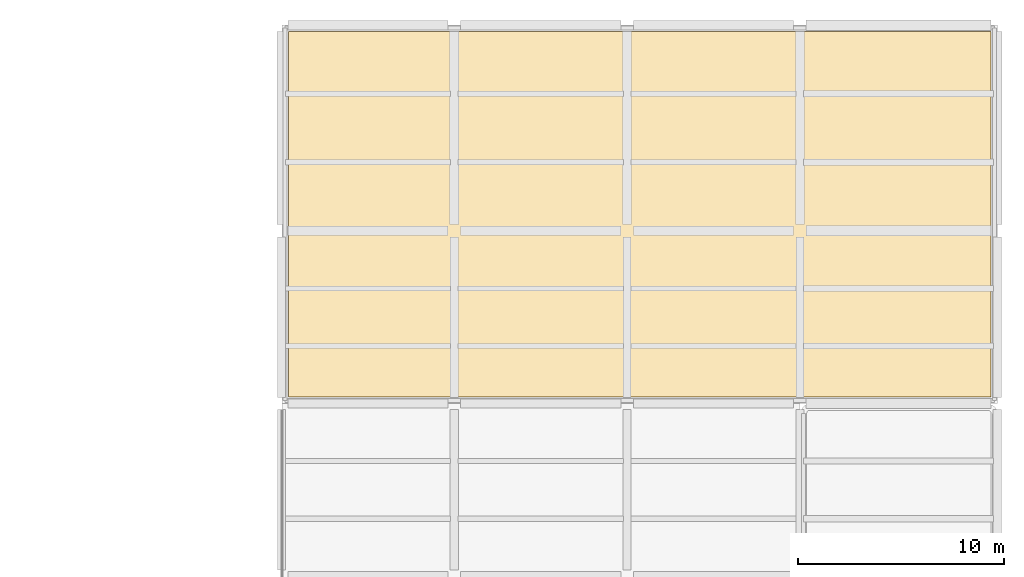
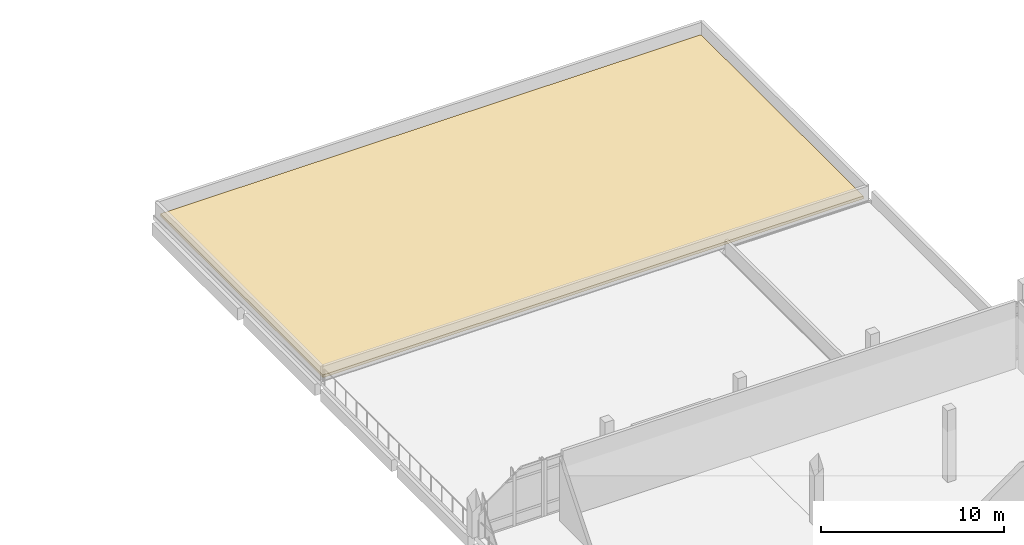
# One storey, part 63 of 63: 1 covering.
"""IFC4 building model written with IfcOpenShell, lengths in metres."""

from ifc_helpers import new_model, si_unit, derived_unit, direction, frame, origin, place, context, subcontext, project, spatial, polyline, outline, extrude, material, layer, layer_set, type_object, element, save


model = new_model("IFC4")

# Units and contexts
model_context = context("Model", 3, precision=1e-05, world=origin(), true_north=direction((0.0, 1.0)))
body_context = subcontext(model_context, "Body", "Model", "MODEL_VIEW")
ifc_project = project(units=[si_unit("LENGTHUNIT", "METRE"), si_unit("AREAUNIT", "SQUARE_METRE"), si_unit("VOLUMEUNIT", "CUBIC_METRE"), si_unit("PLANEANGLEUNIT", "RADIAN"), si_unit("MASSUNIT", "GRAM", prefix="KILO"), derived_unit("THERMALTRANSMITTANCEUNIT", [(si_unit("POWERUNIT", "WATT"), 1), (si_unit("LENGTHUNIT", "METRE"), -2), (si_unit("THERMODYNAMICTEMPERATUREUNIT", "KELVIN"), -1)])], contexts=[model_context])

# Site, building, storey
site_placement = place(None, origin())
site = spatial("IfcSite", under=ifc_project, at=site_placement, CompositionType="ELEMENT")
building_placement = place(site_placement, origin())
building = spatial("IfcBuilding", under=site, at=building_placement, Name="Elbkamm Science Centre", CompositionType="ELEMENT")
storey_placement = place(building_placement, frame((0.0, 0.0, 5.10009765625)))
storey = spatial("IfcBuildingStorey", under=building, at=storey_placement, Name="L01", CompositionType="ELEMENT", Elevation=5.10009765625)

# Covering
ifc_material = material(Name="EPDM waterproof roofing membrane and mineral wool insulation")
ifc_layer = layer(ifc_material, 0.179931640625)
ifc_layer_set = layer_set([ifc_layer], Name="EPDM waterproof roofing membrane and mineral wool insulation")
covering_type = type_object("IfcCoveringType", Name="COV-ROOFING-180", PredefinedType="ROOFING", material=ifc_layer_set)
covering_placement = place(storey_placement, origin())
element("IfcCovering", 1, at=covering_placement, inside=storey, type_object=covering_type, Name="L01 Insulated Roof Membrane Covering 02", PredefinedType="ROOFING", context=body_context, shape_type="SweptSolid", body=[
    extrude(outline(polyline([(160.5, 110.5), (160.5, 92.7099609375), (126.324951171875, 92.7099609375), (126.324951171875, 110.5), (160.5, 110.5)])), origin(), (0.0, 0.0, 1.0), 0.179931640625),
])

save(model, "model.ifc")
